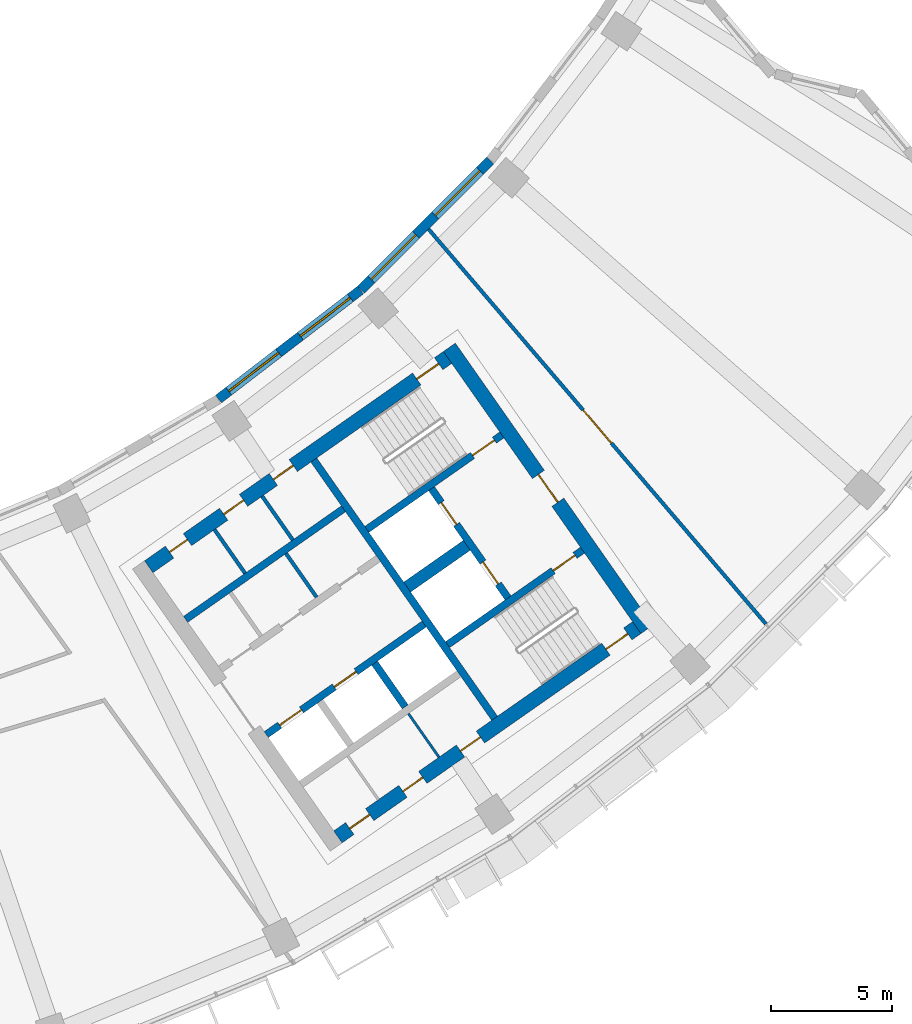
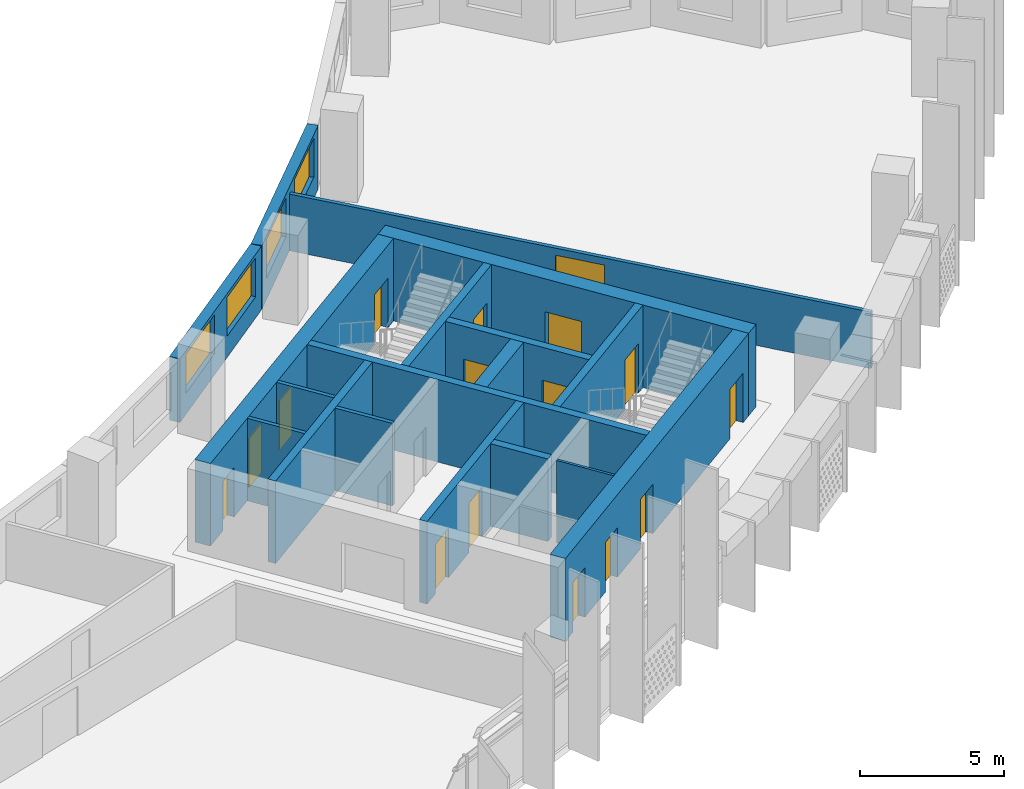
# One storey, part 7 of 27: 18 walls, 16 doors, 4 windows, 20 openings.
"""IFC4 building model written with IfcOpenShell, lengths in metres."""

from ifc_helpers import new_model, si_unit, direction, frame, frame_2d, origin, place, context, subcontext, project, spatial, rectangle, extrude, material, layer, layer_set, type_object, element, fill, save


model = new_model("IFC4")

# Units and contexts
model_context = context("Model", 3, precision=1e-05, world=origin(), true_north=direction((0.0, 1.0)))
body_context = subcontext(model_context, "Body", "Model", "MODEL_VIEW")
ifc_project = project(units=[si_unit("LENGTHUNIT", "METRE"), si_unit("AREAUNIT", "SQUARE_METRE"), si_unit("VOLUMEUNIT", "CUBIC_METRE"), si_unit("PLANEANGLEUNIT", "RADIAN"), si_unit("MASSUNIT", "GRAM", prefix="KILO")], contexts=[model_context])

# Site, building, storey
site_placement = place(None, origin())
site = spatial("IfcSite", under=ifc_project, at=site_placement, CompositionType="ELEMENT")
building_placement = place(site_placement, origin())
building = spatial("IfcBuilding", under=site, at=building_placement, Name="Qamariyya Broadcast Tower", CompositionType="ELEMENT")
storey_placement = place(building_placement, frame((0.0, 0.0, 172.10009765625)))
storey = spatial("IfcBuildingStorey", under=building, at=storey_placement, Name="L40", CompositionType="ELEMENT", Elevation=172.10009765625)

# Wall, opening, door
ifc_material_1 = material(Name="Concrete C60/75", Category="concrete")
ifc_layer_1 = layer(ifc_material_1, 0.60009765625)
ifc_layer_set_1 = layer_set([ifc_layer_1], Name="Core wall 600 mm Concrete C60/75")
wall_type_1 = type_object("IfcWallType", Name="Core wall 600 mm Concrete C60/75", PredefinedType="SHEAR", material=ifc_layer_set_1)
wall_1_placement = place(storey_placement, frame((49.4833984375, -57.031494140625, 0.0), z_axis=(0.0, 0.0, 1.0), x_axis=(-0.573560421458, 0.819163257805, 0.0)))
wall_1 = element("IfcWall", 1, at=wall_1_placement, inside=storey, type_object=wall_type_1, Name="k-E-L40-WH", PredefinedType="SHEAR", context=body_context, shape_type="SweptSolid", body=[
    extrude(rectangle(XDim=14.199951171875, YDim=0.60009765625, at=frame_2d((7.10009765625, 0.0))), origin(), (0.0, 0.0, 1.0), 3.5),
])
opening_1_placement = place(wall_1_placement, frame((6.39990234375, 0.0, 0.0)))
opening_1 = element("IfcOpeningElement", 2, at=opening_1_placement, cuts=wall_1, Name="Opening KD2-E1", PredefinedType="OPENING", context=body_context, shape_type="SweptSolid", body=[
    extrude(rectangle(XDim=1.39990234375, YDim=2.10009765625, at=frame_2d((0.699951171875, 1.050048828125))), frame((0.0, 0.31005859375, 0.0), z_axis=(0.0, -1.0, 0.0), x_axis=(1.0, 0.0, 0.0)), (0.0, 0.0, 1.0), 0.6201171875),
])
ifc_material_2 = material(Name="Steel fire-resisting door leaf", Category="steel")
door_type_1 = type_object("IfcDoorType", Name="Fire-fighting lobby door KD2", OperationType="DOUBLE_DOOR_SINGLE_SWING", PredefinedType="DOOR", material=ifc_material_2)
door_1_placement = place(opening_1_placement, origin())
door_1 = element("IfcDoor", 3, at=door_1_placement, inside=storey, type_object=door_type_1, Name="k-E-L40-WH-D15", OperationType="DOUBLE_DOOR_SINGLE_SWING", OverallHeight=2.10009765625, OverallWidth=1.39990234375, PredefinedType="DOOR", context=body_context, shape_type="SweptSolid", body=[
    extrude(rectangle(XDim=1.39990234375, YDim=2.10009765625, at=frame_2d((0.699951171875, 1.050048828125))), frame((0.0, 0.02490234375, 0.0), z_axis=(0.0, -1.0, 0.0), x_axis=(1.0, 0.0, 0.0)), (0.0, 0.0, 1.0), 0.050048828125),
])
fill(opening_1, door_1)

# Wall, openings, doors
wall_2_placement = place(storey_placement, frame((28.940673828125, -54.447021484375, 0.0), z_axis=(0.0, 0.0, 1.0), x_axis=(0.819153391756, 0.573574511963, 0.0)))
wall_2 = element("IfcWall", 4, at=wall_2_placement, inside=storey, type_object=wall_type_1, Name="k-E-L40-WI", PredefinedType="SHEAR", context=body_context, shape_type="SweptSolid", body=[
    extrude(rectangle(XDim=15.04541015625, YDim=0.60009765625, at=frame_2d((7.522705078125, 0.0))), origin(), (0.0, 0.0, 1.0), 3.5),
])
opening_2_placement = place(wall_2_placement, frame((1.050048828125, 0.0, 0.0)))
opening_2 = element("IfcOpeningElement", 5, at=opening_2_placement, cuts=wall_2, Name="Opening KD5-E1", PredefinedType="OPENING", context=body_context, shape_type="SweptSolid", body=[
    extrude(rectangle(XDim=0.89990234375, YDim=2.10009765625, at=frame_2d((0.449951171875, 1.050048828125))), frame((0.0, 0.31005859375, 0.0), z_axis=(0.0, -1.0, 0.0), x_axis=(1.0, 0.0, 0.0)), (0.0, 0.0, 1.0), 0.6201171875),
])
opening_3_placement = place(wall_2_placement, frame((3.77490234375, 0.0, 0.0)))
opening_3 = element("IfcOpeningElement", 6, at=opening_3_placement, cuts=wall_2, Name="Opening KD7-E1", PredefinedType="OPENING", context=body_context, shape_type="SweptSolid", body=[
    extrude(rectangle(XDim=1.0, YDim=2.10009765625, at=frame_2d((0.5, 1.050048828125))), frame((0.0, 0.31005859375, 0.0), z_axis=(0.0, -1.0, 0.0), x_axis=(1.0, 0.0, 0.0)), (0.0, 0.0, 1.0), 0.6201171875),
])
opening_4_placement = place(wall_2_placement, frame((6.27490234375, 0.0, 0.0)))
opening_4 = element("IfcOpeningElement", 7, at=opening_4_placement, cuts=wall_2, Name="Opening KD6-E3", PredefinedType="OPENING", context=body_context, shape_type="SweptSolid", body=[
    extrude(rectangle(XDim=1.0, YDim=2.10009765625, at=frame_2d((0.5, 1.050048828125))), frame((0.0, 0.31005859375, 0.0), z_axis=(0.0, -1.0, 0.0), x_axis=(1.0, 0.0, 0.0)), (0.0, 0.0, 1.0), 0.6201171875),
])
opening_5_placement = place(wall_2_placement, frame((13.495361328125, 0.0, 0.0)))
opening_5 = element("IfcOpeningElement", 8, at=opening_5_placement, cuts=wall_2, Name="Opening KD1-E1", PredefinedType="OPENING", context=body_context, shape_type="SweptSolid", body=[
    extrude(rectangle(XDim=1.10009765625, YDim=2.10009765625, at=frame_2d((0.550048828125, 1.050048828125))), frame((0.0, 0.31005859375, 0.0), z_axis=(0.0, -1.0, 0.0), x_axis=(1.0, 0.0, 0.0)), (0.0, 0.0, 1.0), 0.6201171875),
])
door_type_2 = type_object("IfcDoorType", Name="Accessible toilet door KD7", OperationType="SINGLE_SWING_LEFT", PredefinedType="DOOR", material=ifc_material_2)
door_2_placement = place(opening_3_placement, origin())
door_2 = element("IfcDoor", 9, at=door_2_placement, inside=storey, type_object=door_type_2, Name="k-E-L40-WI-D8", OperationType="SINGLE_SWING_RIGHT", OverallHeight=2.10009765625, OverallWidth=1.0, PredefinedType="DOOR", context=body_context, shape_type="SweptSolid", body=[
    extrude(rectangle(XDim=1.0, YDim=2.10009765625, at=frame_2d((0.5, 1.050048828125))), frame((0.0, 0.02490234375, 0.0), z_axis=(0.0, -1.0, 0.0), x_axis=(1.0, 0.0, 0.0)), (0.0, 0.0, 1.0), 0.050048828125),
])
fill(opening_3, door_2)
door_type_3 = type_object("IfcDoorType", Name="Core room door KD6", OperationType="SINGLE_SWING_LEFT", PredefinedType="DOOR", material=ifc_material_2)
door_3_placement = place(opening_4_placement, origin())
door_3 = element("IfcDoor", 10, at=door_3_placement, inside=storey, type_object=door_type_3, Name="k-E-L40-WI-D9", OperationType="SINGLE_SWING_LEFT", OverallHeight=2.10009765625, OverallWidth=1.0, PredefinedType="DOOR", context=body_context, shape_type="SweptSolid", body=[
    extrude(rectangle(XDim=1.0, YDim=2.10009765625, at=frame_2d((0.5, 1.050048828125))), frame((0.0, 0.02490234375, 0.0), z_axis=(0.0, -1.0, 0.0), x_axis=(1.0, 0.0, 0.0)), (0.0, 0.0, 1.0), 0.050048828125),
])
fill(opening_4, door_3)
door_type_4 = type_object("IfcDoorType", Name="Stair door KD1", OperationType="SINGLE_SWING_LEFT", PredefinedType="DOOR", material=ifc_material_2)
door_4_placement = place(opening_5_placement, origin())
door_4 = element("IfcDoor", 11, at=door_4_placement, inside=storey, type_object=door_type_4, Name="k-E-L40-WI-D16", OperationType="SINGLE_SWING_RIGHT", OverallHeight=2.10009765625, OverallWidth=1.10009765625, PredefinedType="DOOR", context=body_context, shape_type="SweptSolid", body=[
    extrude(rectangle(XDim=1.10009765625, YDim=2.10009765625, at=frame_2d((0.550048828125, 1.050048828125))), frame((0.0, 0.02490234375, 0.0), z_axis=(0.0, -1.0, 0.0), x_axis=(1.0, 0.0, 0.0)), (0.0, 0.0, 1.0), 0.050048828125),
])
fill(opening_5, door_4)
door_type_5 = type_object("IfcDoorType", Name="Toilet door KD5", OperationType="SINGLE_SWING_LEFT", PredefinedType="DOOR", material=ifc_material_2)
door_5_placement = place(opening_2_placement, origin())
door_5 = element("IfcDoor", 12, at=door_5_placement, inside=storey, type_object=door_type_5, Name="k-E-L40-WI-D7", OperationType="SINGLE_SWING_LEFT", OverallHeight=2.10009765625, OverallWidth=0.89990234375, PredefinedType="DOOR", context=body_context, shape_type="SweptSolid", body=[
    extrude(rectangle(XDim=0.89990234375, YDim=2.10009765625, at=frame_2d((0.449951171875, 1.050048828125))), frame((0.0, 0.02490234375, 0.0), z_axis=(0.0, -1.0, 0.0), x_axis=(1.0, 0.0, 0.0)), (0.0, 0.0, 1.0), 0.050048828125),
])
fill(opening_2, door_5)

wall_3_placement = place(storey_placement, frame((36.7412109375, -65.58740234375, 0.0), z_axis=(0.0, 0.0, 1.0), x_axis=(0.819153391756, 0.573574511963, 0.0)))
wall_3 = element("IfcWall", 13, at=wall_3_placement, inside=storey, type_object=wall_type_1, Name="k-E-L40-WO", PredefinedType="SHEAR", context=body_context, shape_type="SweptSolid", body=[
    extrude(rectangle(XDim=15.04541015625, YDim=0.60009765625, at=frame_2d((7.522705078125, 0.0))), origin(), (0.0, 0.0, 1.0), 3.5),
])
opening_6_placement = place(wall_3_placement, frame((0.60009765625, 0.0, 0.0)))
opening_6 = element("IfcOpeningElement", 14, at=opening_6_placement, cuts=wall_3, Name="Opening KD4-E2", PredefinedType="OPENING", context=body_context, shape_type="SweptSolid", body=[
    extrude(rectangle(XDim=1.0, YDim=2.10009765625, at=frame_2d((0.5, 1.050048828125))), frame((0.0, 0.31005859375, 0.0), z_axis=(0.0, -1.0, 0.0), x_axis=(1.0, 0.0, 0.0)), (0.0, 0.0, 1.0), 0.6201171875),
])
opening_7_placement = place(wall_3_placement, frame((3.27490234375, 0.0, 0.0)))
opening_7 = element("IfcOpeningElement", 15, at=opening_7_placement, cuts=wall_3, Name="Opening KD4-E3", PredefinedType="OPENING", context=body_context, shape_type="SweptSolid", body=[
    extrude(rectangle(XDim=1.0, YDim=2.10009765625, at=frame_2d((0.5, 1.050048828125))), frame((0.0, 0.31005859375, 0.0), z_axis=(0.0, -1.0, 0.0), x_axis=(1.0, 0.0, 0.0)), (0.0, 0.0, 1.0), 0.6201171875),
])
opening_8_placement = place(wall_3_placement, frame((6.175048828125, 0.0, 0.0)))
opening_8 = element("IfcOpeningElement", 16, at=opening_8_placement, cuts=wall_3, Name="Opening KD4-E4", PredefinedType="OPENING", context=body_context, shape_type="SweptSolid", body=[
    extrude(rectangle(XDim=1.0, YDim=2.10009765625, at=frame_2d((0.5, 1.050048828125))), frame((0.0, 0.31005859375, 0.0), z_axis=(0.0, -1.0, 0.0), x_axis=(1.0, 0.0, 0.0)), (0.0, 0.0, 1.0), 0.6201171875),
])
opening_9_placement = place(wall_3_placement, frame((13.495361328125, 0.0, 0.0)))
opening_9 = element("IfcOpeningElement", 17, at=opening_9_placement, cuts=wall_3, Name="Opening KD1-E3", PredefinedType="OPENING", context=body_context, shape_type="SweptSolid", body=[
    extrude(rectangle(XDim=1.10009765625, YDim=2.10009765625, at=frame_2d((0.550048828125, 1.050048828125))), frame((0.0, 0.31005859375, 0.0), z_axis=(0.0, -1.0, 0.0), x_axis=(1.0, 0.0, 0.0)), (0.0, 0.0, 1.0), 0.6201171875),
])
door_type_6 = type_object("IfcDoorType", Name="Riser and plant door KD4", OperationType="SINGLE_SWING_LEFT", PredefinedType="DOOR", material=ifc_material_2)
door_6_placement = place(opening_6_placement, origin())
door_6 = element("IfcDoor", 18, at=door_6_placement, inside=storey, type_object=door_type_6, Name="k-E-L40-WO-D10", OperationType="SINGLE_SWING_RIGHT", OverallHeight=2.10009765625, OverallWidth=1.0, PredefinedType="DOOR", context=body_context, shape_type="SweptSolid", body=[
    extrude(rectangle(XDim=1.0, YDim=2.10009765625, at=frame_2d((0.5, 1.050048828125))), frame((0.0, 0.02490234375, 0.0), z_axis=(0.0, -1.0, 0.0), x_axis=(1.0, 0.0, 0.0)), (0.0, 0.0, 1.0), 0.050048828125),
])
fill(opening_6, door_6)
door_7_placement = place(opening_7_placement, origin())
door_7 = element("IfcDoor", 19, at=door_7_placement, inside=storey, type_object=door_type_6, Name="k-E-L40-WO-D11", OperationType="SINGLE_SWING_LEFT", OverallHeight=2.10009765625, OverallWidth=1.0, PredefinedType="DOOR", context=body_context, shape_type="SweptSolid", body=[
    extrude(rectangle(XDim=1.0, YDim=2.10009765625, at=frame_2d((0.5, 1.050048828125))), frame((0.0, 0.02490234375, 0.0), z_axis=(0.0, -1.0, 0.0), x_axis=(1.0, 0.0, 0.0)), (0.0, 0.0, 1.0), 0.050048828125),
])
fill(opening_7, door_7)
door_8_placement = place(opening_8_placement, origin())
door_8 = element("IfcDoor", 20, at=door_8_placement, inside=storey, type_object=door_type_6, Name="k-E-L40-WO-D12", OperationType="SINGLE_SWING_RIGHT", OverallHeight=2.10009765625, OverallWidth=1.0, PredefinedType="DOOR", context=body_context, shape_type="SweptSolid", body=[
    extrude(rectangle(XDim=1.0, YDim=2.10009765625, at=frame_2d((0.5, 1.050048828125))), frame((0.0, 0.02490234375, 0.0), z_axis=(0.0, -1.0, 0.0), x_axis=(1.0, 0.0, 0.0)), (0.0, 0.0, 1.0), 0.050048828125),
])
fill(opening_8, door_8)
door_9_placement = place(opening_9_placement, origin())
door_9 = element("IfcDoor", 21, at=door_9_placement, inside=storey, type_object=door_type_4, Name="k-E-L40-WO-D18", OperationType="SINGLE_SWING_LEFT", OverallHeight=2.10009765625, OverallWidth=1.10009765625, PredefinedType="DOOR", context=body_context, shape_type="SweptSolid", body=[
    extrude(rectangle(XDim=1.10009765625, YDim=2.10009765625, at=frame_2d((0.550048828125, 1.050048828125))), frame((0.0, 0.02490234375, 0.0), z_axis=(0.0, -1.0, 0.0), x_axis=(1.0, 0.0, 0.0)), (0.0, 0.0, 1.0), 0.050048828125),
])
fill(opening_9, door_9)

# Wall, opening, door
ifc_material_3 = material(Name="Gypsum board partition")
ifc_layer_2 = layer(ifc_material_3, 0.14990234375)
ifc_layer_set_2 = layer_set([ifc_layer_2], Name="Corridor partition 150 EI 60")
wall_type_2 = type_object("IfcWallType", Name="Corridor partition 150 EI 60", PredefinedType="PARTITIONING", material=ifc_layer_set_2)
wall_4_placement = place(storey_placement, frame((40.478759765625, -40.52294921875, 0.0), z_axis=(0.0, 0.0, 1.0), x_axis=(0.649633284071, -0.760247720303, 0.0)))
wall_4 = element("IfcWall", 22, at=wall_4_placement, inside=storey, type_object=wall_type_2, Name="Partition L40-028", PredefinedType="PARTITIONING", context=body_context, shape_type="SweptSolid", body=[
    extrude(rectangle(XDim=21.420166015625, YDim=0.14990234375, at=frame_2d((10.7099609375, 0.0))), origin(), (0.0, 0.0, 1.0), 2.39990234375),
])
opening_10_placement = place(wall_4_placement, frame((9.81005859375, 0.0, 0.0)))
opening_10 = element("IfcOpeningElement", 23, at=opening_10_placement, cuts=wall_4, Name="Opening L40-D13", PredefinedType="OPENING", context=body_context, shape_type="SweptSolid", body=[
    extrude(rectangle(XDim=1.800048828125, YDim=2.10009765625, at=frame_2d((0.89990234375, 1.050048828125))), frame((0.0, 0.0849609375, 0.0), z_axis=(0.0, -1.0, 0.0), x_axis=(1.0, 0.0, 0.0)), (0.0, 0.0, 1.0), 0.169921875),
])
ifc_material_4 = material(Name="Timber fire door leaf", Category="wood")
door_type_7 = type_object("IfcDoorType", Name="Double fire door 1800 x 2100 FD60", OperationType="NOTDEFINED", PredefinedType="DOOR", material=ifc_material_4)
door_10_placement = place(opening_10_placement, origin())
door_10 = element("IfcDoor", 24, at=door_10_placement, inside=storey, type_object=door_type_7, Name="Door L40-D13", OperationType="DOUBLE_DOOR_SINGLE_SWING", OverallHeight=2.10009765625, OverallWidth=1.800048828125, PredefinedType="DOOR", context=body_context, shape_type="SweptSolid", body=[
    extrude(rectangle(XDim=1.800048828125, YDim=2.10009765625, at=frame_2d((0.89990234375, 1.050048828125))), frame((0.0, 0.02490234375, 0.0), z_axis=(0.0, -1.0, 0.0), x_axis=(1.0, 0.0, 0.0)), (0.0, 0.0, 1.0), 0.050048828125),
])
fill(opening_10, door_10)

# Walls
ifc_layer_3 = layer(ifc_material_1, 0.5)
ifc_layer_set_3 = layer_set([ifc_layer_3], Name="Fire-fighting lobby divider wall 500 mm Concrete C60/75")
wall_type_3 = type_object("IfcWallType", Name="Fire-fighting lobby divider wall 500 mm Concrete C60/75", PredefinedType="SOLIDWALL", material=ifc_layer_set_3)
wall_5_placement = place(storey_placement, frame((39.59912109375, -55.28515625, 0.0), z_axis=(0.0, 0.0, 1.0), x_axis=(0.819136323161, 0.573598887793, 0.0)))
element("IfcWall", 25, at=wall_5_placement, inside=storey, type_object=wall_type_3, Name="k-E-L40-FD", PredefinedType="SOLIDWALL", context=body_context, shape_type="SweptSolid", body=[
    extrude(rectangle(XDim=2.999755859375, YDim=0.5, at=frame_2d((1.5, 0.0))), origin(), (0.0, 0.0, 1.0), 3.5),
])
ifc_material_5 = material(Name="Gypsum board partition on steel studs", Category="steel")
ifc_layer_4 = layer(ifc_material_5, 0.14990234375)
ifc_layer_set_4 = layer_set([ifc_layer_4], Name="Gypsum board partition 150 mm")
wall_type_4 = type_object("IfcWallType", Name="Gypsum board partition 150 mm", PredefinedType="PARTITIONING", material=ifc_layer_set_4)
wall_6_placement = place(storey_placement, frame((35.86328125, -55.70361328125, 0.0), z_axis=(0.0, 0.0, 1.0), x_axis=(-0.573507030513, 0.819200638399, 0.0)))
element("IfcWall", 26, at=wall_6_placement, inside=storey, type_object=wall_type_4, Name="k-E-L40-NC495", PredefinedType="PARTITIONING", context=body_context, shape_type="SweptSolid", body=[
    extrude(rectangle(XDim=2.199951171875, YDim=0.14990234375, at=frame_2d((1.10009765625, 0.0))), origin(), (0.0, 0.0, 1.0), 3.5),
])
wall_7_placement = place(storey_placement, frame((32.9140625, -54.716796875, 0.0), z_axis=(0.0, 0.0, 1.0), x_axis=(-0.573581496053, 0.819148501424, 0.0)))
element("IfcWall", 27, at=wall_7_placement, inside=storey, type_object=wall_type_4, Name="k-E-L40-NP310", PredefinedType="PARTITIONING", context=body_context, shape_type="SweptSolid", body=[
    extrude(rectangle(XDim=2.2001953125, YDim=0.14990234375, at=frame_2d((1.10009765625, 0.0))), origin(), (0.0, 0.0, 1.0), 3.5),
])
wall_8_placement = place(storey_placement, frame((34.8798828125, -53.340087890625, 0.0), z_axis=(0.0, 0.0, 1.0), x_axis=(-0.573559170999, 0.819164133348, 0.0)))
element("IfcWall", 28, at=wall_8_placement, inside=storey, type_object=wall_type_4, Name="k-E-L40-NP550", PredefinedType="PARTITIONING", context=body_context, shape_type="SweptSolid", body=[
    extrude(rectangle(XDim=2.19970703125, YDim=0.14990234375, at=frame_2d((1.099853515625, 0.0))), origin(), (0.0, 0.0, 1.0), 3.5),
])
ifc_layer_5 = layer(ifc_material_1, 0.300048828125)
ifc_layer_set_5 = layer_set([ifc_layer_5], Name="Lift shaft wall 300 mm Concrete C60/75")
wall_type_5 = type_object("IfcWallType", Name="Lift shaft wall 300 mm Concrete C60/75", PredefinedType="SOLIDWALL", material=ifc_layer_set_5)
wall_9_placement = place(storey_placement, frame((43.204345703125, -60.69580078125, 0.0), z_axis=(0.0, 0.0, 1.0), x_axis=(-0.573571992966, 0.819155155563, 0.0)))
element("IfcWall", 29, at=wall_9_placement, inside=storey, type_object=wall_type_5, Name="k-E-L40-WL", PredefinedType="SOLIDWALL", context=body_context, shape_type="SweptSolid", body=[
    extrude(rectangle(XDim=13.000244140625, YDim=0.300048828125, at=frame_2d((6.5, 0.0))), origin(), (0.0, 0.0, 1.0), 3.5),
])
wall_10_placement = place(storey_placement, frame((30.460693359375, -56.61767578125, 0.0), z_axis=(0.0, 0.0, 1.0), x_axis=(0.819142461705, 0.573590121456, 0.0)))
element("IfcWall", 30, at=wall_10_placement, inside=storey, type_object=wall_type_5, Name="k-E-L40-NB0", PredefinedType="SOLIDWALL", context=body_context, shape_type="SweptSolid", body=[
    extrude(rectangle(XDim=7.949951171875, YDim=0.300048828125, at=frame_2d((3.97509765625, 0.0))), origin(), (0.0, 0.0, 1.0), 3.5),
])

# Wall, openings, doors
wall_11_placement = place(storey_placement, frame((33.787353515625, -61.368896484375, 0.0), z_axis=(0.0, 0.0, 1.0), x_axis=(0.819152564888, 0.573575692858, 0.0)))
wall_11 = element("IfcWall", 31, at=wall_11_placement, inside=storey, type_object=wall_type_5, Name="k-E-L40-SF0", PredefinedType="SOLIDWALL", context=body_context, shape_type="SweptSolid", body=[
    extrude(rectangle(XDim=7.9501953125, YDim=0.300048828125, at=frame_2d((3.97509765625, 0.0))), origin(), (0.0, 0.0, 1.0), 3.5),
])
opening_11_placement = place(wall_11_placement, frame((0.675048828125, 0.0, 0.0)))
opening_11 = element("IfcOpeningElement", 32, at=opening_11_placement, cuts=wall_11, Name="Opening LD", PredefinedType="OPENING", context=body_context, shape_type="SweptSolid", body=[
    extrude(rectangle(XDim=1.10009765625, YDim=2.10009765625, at=frame_2d((0.550048828125, 1.050048828125))), frame((0.0, 0.159912109375, 0.0), z_axis=(0.0, -1.0, 0.0), x_axis=(1.0, 0.0, 0.0)), (0.0, 0.0, 1.0), 0.320068359375),
])
opening_12_placement = place(wall_11_placement, frame((3.425048828125, 0.0, 0.0)))
opening_12 = element("IfcOpeningElement", 33, at=opening_12_placement, cuts=wall_11, Name="Opening LD", PredefinedType="OPENING", context=body_context, shape_type="SweptSolid", body=[
    extrude(rectangle(XDim=1.10009765625, YDim=2.10009765625, at=frame_2d((0.550048828125, 1.050048828125))), frame((0.0, 0.159912109375, 0.0), z_axis=(0.0, -1.0, 0.0), x_axis=(1.0, 0.0, 0.0)), (0.0, 0.0, 1.0), 0.320068359375),
])
door_type_8 = type_object("IfcDoorType", Name="Lift landing door LD", OperationType="DOUBLE_DOOR_SLIDING", PredefinedType="DOOR", material=ifc_material_2)
door_11_placement = place(opening_11_placement, origin())
door_11 = element("IfcDoor", 34, at=door_11_placement, inside=storey, type_object=door_type_8, Name="k-E-L40-SF0-D5", OperationType="DOUBLE_DOOR_SLIDING", OverallHeight=2.10009765625, OverallWidth=1.10009765625, PredefinedType="DOOR", context=body_context, shape_type="SweptSolid", body=[
    extrude(rectangle(XDim=1.10009765625, YDim=2.10009765625, at=frame_2d((0.550048828125, 1.050048828125))), frame((0.0, 0.02490234375, 0.0), z_axis=(0.0, -1.0, 0.0), x_axis=(1.0, 0.0, 0.0)), (0.0, 0.0, 1.0), 0.050048828125),
])
fill(opening_11, door_11)
door_12_placement = place(opening_12_placement, origin())
door_12 = element("IfcDoor", 35, at=door_12_placement, inside=storey, type_object=door_type_8, Name="k-E-L40-SF0-D6", OperationType="DOUBLE_DOOR_SLIDING", OverallHeight=2.10009765625, OverallWidth=1.10009765625, PredefinedType="DOOR", context=body_context, shape_type="SweptSolid", body=[
    extrude(rectangle(XDim=1.10009765625, YDim=2.10009765625, at=frame_2d((0.550048828125, 1.050048828125))), frame((0.0, 0.02490234375, 0.0), z_axis=(0.0, -1.0, 0.0), x_axis=(1.0, 0.0, 0.0)), (0.0, 0.0, 1.0), 0.050048828125),
])
fill(opening_12, door_12)

# Wall
wall_12_placement = place(storey_placement, frame((38.255859375, -58.423095703125, 0.0), z_axis=(0.0, 0.0, 1.0), x_axis=(0.573633636671, -0.819111989218, 0.0)))
element("IfcWall", 36, at=wall_12_placement, inside=storey, type_object=wall_type_5, Name="k-E-L40-SD1", PredefinedType="SOLIDWALL", context=body_context, shape_type="SweptSolid", body=[
    extrude(rectangle(XDim=2.199951171875, YDim=0.300048828125, at=frame_2d((1.10009765625, 0.0))), origin(), (0.0, 0.0, 1.0), 3.5),
])

# Wall, opening, door
wall_13_placement = place(storey_placement, frame((37.935546875, -52.90966796875, 0.0), z_axis=(0.0, 0.0, 1.0), x_axis=(0.819147518138, 0.57358290031, 0.0)))
wall_13 = element("IfcWall", 37, at=wall_13_placement, inside=storey, type_object=wall_type_5, Name="k-E-L40-NW", PredefinedType="SOLIDWALL", context=body_context, shape_type="SweptSolid", body=[
    extrude(rectangle(XDim=6.79541015625, YDim=0.300048828125, at=frame_2d((3.397705078125, 0.0))), origin(), (0.0, 0.0, 1.0), 3.5),
])
opening_13_placement = place(wall_13_placement, frame((5.3203125, 0.0, 0.0)))
opening_13 = element("IfcOpeningElement", 38, at=opening_13_placement, cuts=wall_13, Name="Opening KD1-E2", PredefinedType="OPENING", context=body_context, shape_type="SweptSolid", body=[
    extrude(rectangle(XDim=1.10009765625, YDim=2.10009765625, at=frame_2d((0.550048828125, 1.050048828125))), frame((0.0, 0.159912109375, 0.0), z_axis=(0.0, -1.0, 0.0), x_axis=(1.0, 0.0, 0.0)), (0.0, 0.0, 1.0), 0.320068359375),
])
door_13_placement = place(opening_13_placement, origin())
door_13 = element("IfcDoor", 39, at=door_13_placement, inside=storey, type_object=door_type_4, Name="k-E-L40-NW-D17", OperationType="SINGLE_SWING_LEFT", OverallHeight=2.10009765625, OverallWidth=1.10009765625, PredefinedType="DOOR", context=body_context, shape_type="SweptSolid", body=[
    extrude(rectangle(XDim=1.10009765625, YDim=2.10009765625, at=frame_2d((0.550048828125, 1.050048828125))), frame((0.0, 0.02490234375, 0.0), z_axis=(0.0, -1.0, 0.0), x_axis=(1.0, 0.0, 0.0)), (0.0, 0.0, 1.0), 0.050048828125),
])
fill(opening_13, door_13)

wall_14_placement = place(storey_placement, frame((41.262451171875, -57.66064453125, 0.0), z_axis=(0.0, 0.0, 1.0), x_axis=(0.819164398642, 0.573558792102, 0.0)))
wall_14 = element("IfcWall", 40, at=wall_14_placement, inside=storey, type_object=wall_type_5, Name="k-E-L40-SW", PredefinedType="SOLIDWALL", context=body_context, shape_type="SweptSolid", body=[
    extrude(rectangle(XDim=6.795166015625, YDim=0.300048828125, at=frame_2d((3.3974609375, 0.0))), origin(), (0.0, 0.0, 1.0), 3.5),
])
opening_14_placement = place(wall_14_placement, frame((5.3203125, 0.0, 0.0)))
opening_14 = element("IfcOpeningElement", 41, at=opening_14_placement, cuts=wall_14, Name="Opening KD1-E4", PredefinedType="OPENING", context=body_context, shape_type="SweptSolid", body=[
    extrude(rectangle(XDim=1.10009765625, YDim=2.10009765625, at=frame_2d((0.550048828125, 1.050048828125))), frame((0.0, 0.159912109375, 0.0), z_axis=(0.0, -1.0, 0.0), x_axis=(1.0, 0.0, 0.0)), (0.0, 0.0, 1.0), 0.320068359375),
])
door_14_placement = place(opening_14_placement, origin())
door_14 = element("IfcDoor", 42, at=door_14_placement, inside=storey, type_object=door_type_4, Name="k-E-L40-SW-D19", OperationType="SINGLE_SWING_LEFT", OverallHeight=2.10009765625, OverallWidth=1.10009765625, PredefinedType="DOOR", context=body_context, shape_type="SweptSolid", body=[
    extrude(rectangle(XDim=1.10009765625, YDim=2.10009765625, at=frame_2d((0.550048828125, 1.050048828125))), frame((0.0, 0.02490234375, 0.0), z_axis=(0.0, -1.0, 0.0), x_axis=(1.0, 0.0, 0.0)), (0.0, 0.0, 1.0), 0.050048828125),
])
fill(opening_14, door_14)

# Wall, openings, doors
wall_15_placement = place(storey_placement, frame((43.756591796875, -55.731201171875, 0.0), z_axis=(0.0, 0.0, 1.0), x_axis=(-0.573536818435, 0.819179783625, 0.0)))
wall_15 = element("IfcWall", 43, at=wall_15_placement, inside=storey, type_object=wall_type_5, Name="k-E-L40-FF", PredefinedType="SOLIDWALL", context=body_context, shape_type="SweptSolid", body=[
    extrude(rectangle(XDim=5.500244140625, YDim=0.300048828125, at=frame_2d((2.75, 0.0))), origin(), (0.0, 0.0, 1.0), 3.5),
])
opening_15_placement = place(wall_15_placement, frame((0.699951171875, 0.0, 0.0)))
opening_15 = element("IfcOpeningElement", 44, at=opening_15_placement, cuts=wall_15, Name="Opening LD", PredefinedType="OPENING", context=body_context, shape_type="SweptSolid", body=[
    extrude(rectangle(XDim=1.10009765625, YDim=2.10009765625, at=frame_2d((0.550048828125, 1.050048828125))), frame((0.0, 0.159912109375, 0.0), z_axis=(0.0, -1.0, 0.0), x_axis=(1.0, 0.0, 0.0)), (0.0, 0.0, 1.0), 0.320068359375),
])
opening_16_placement = place(wall_15_placement, frame((3.699951171875, 0.0, 0.0)))
opening_16 = element("IfcOpeningElement", 45, at=opening_16_placement, cuts=wall_15, Name="Opening LD", PredefinedType="OPENING", context=body_context, shape_type="SweptSolid", body=[
    extrude(rectangle(XDim=1.10009765625, YDim=2.10009765625, at=frame_2d((0.550048828125, 1.050048828125))), frame((0.0, 0.159912109375, 0.0), z_axis=(0.0, -1.0, 0.0), x_axis=(1.0, 0.0, 0.0)), (0.0, 0.0, 1.0), 0.320068359375),
])
door_15_placement = place(opening_15_placement, origin())
door_15 = element("IfcDoor", 46, at=door_15_placement, inside=storey, type_object=door_type_8, Name="k-E-L40-FF-D13", OperationType="DOUBLE_DOOR_SLIDING", OverallHeight=2.10009765625, OverallWidth=1.10009765625, PredefinedType="DOOR", context=body_context, shape_type="SweptSolid", body=[
    extrude(rectangle(XDim=1.10009765625, YDim=2.10009765625, at=frame_2d((0.550048828125, 1.050048828125))), frame((0.0, 0.02490234375, 0.0), z_axis=(0.0, -1.0, 0.0), x_axis=(1.0, 0.0, 0.0)), (0.0, 0.0, 1.0), 0.050048828125),
])
fill(opening_15, door_15)
door_16_placement = place(opening_16_placement, origin())
door_16 = element("IfcDoor", 47, at=door_16_placement, inside=storey, type_object=door_type_8, Name="k-E-L40-FF-D14", OperationType="DOUBLE_DOOR_SLIDING", OverallHeight=2.10009765625, OverallWidth=1.10009765625, PredefinedType="DOOR", context=body_context, shape_type="SweptSolid", body=[
    extrude(rectangle(XDim=1.10009765625, YDim=2.10009765625, at=frame_2d((0.550048828125, 1.050048828125))), frame((0.0, 0.02490234375, 0.0), z_axis=(0.0, -1.0, 0.0), x_axis=(1.0, 0.0, 0.0)), (0.0, 0.0, 1.0), 0.050048828125),
])
fill(opening_16, door_16)

# Wall
ifc_material_6 = material(Name="Fire-rated gypsum shaft liner on steel studs", Category="steel")
ifc_layer_6 = layer(ifc_material_6, 0.10009765625)
ifc_layer_set_6 = layer_set([ifc_layer_6], Name="Riser wall 100 mm")
wall_type_6 = type_object("IfcWallType", Name="Riser wall 100 mm", PredefinedType="PLUMBINGWALL", material=ifc_layer_set_6)
wall_16_placement = place(storey_placement, frame((39.64892578125, -60.49951171875, 0.0), z_axis=(0.0, 0.0, 1.0), x_axis=(0.573507030513, -0.819200638399, 0.0)))
element("IfcWall", 48, at=wall_16_placement, inside=storey, type_object=wall_type_6, Name="k-E-L40-SP530", PredefinedType="PLUMBINGWALL", context=body_context, shape_type="SweptSolid", body=[
    extrude(rectangle(XDim=2.199951171875, YDim=0.10009765625, at=frame_2d((1.10009765625, 0.0))), origin(), (0.0, 0.0, 1.0), 3.5),
])

# Wall, openings, windows
ifc_material_7 = material(Name="Terracotta", Category="masonry")
ifc_layer_7 = layer(ifc_material_7, 0.39990234375)
ifc_layer_set_7 = layer_set([ifc_layer_7], Name="Terracotta clad wall 400")
wall_type_7 = type_object("IfcWallType", Name="Terracotta clad wall 400", PredefinedType="SOLIDWALL", material=ifc_layer_set_7)
wall_17_placement = place(storey_placement, frame((37.674560546875, -43.036376953125, 0.0), z_axis=(0.0, 0.0, 1.0), x_axis=(-0.79334647843, -0.608770371457, 0.0)))
wall_17 = element("IfcWall", 49, at=wall_17_placement, inside=storey, type_object=wall_type_7, Name="e-wl-L40-in120", PredefinedType="SOLIDWALL", context=body_context, shape_type="SweptSolid", body=[
    extrude(rectangle(XDim=7.380615234375, YDim=0.39990234375, at=frame_2d((3.6904296875, 0.0))), origin(), (0.0, 0.0, 1.0), 2.699951171875),
])
opening_17_placement = place(wall_17_placement, frame((4.25439453125, 0.0, 0.89990234375)))
opening_17 = element("IfcOpeningElement", 50, at=opening_17_placement, cuts=wall_17, Name="Opening W1", PredefinedType="OPENING", context=body_context, shape_type="SweptSolid", body=[
    extrude(rectangle(XDim=2.60009765625, YDim=1.64990234375, at=frame_2d((1.300048828125, 0.824951171875))), frame((0.0, 0.2099609375, 0.0), z_axis=(0.0, -1.0, 0.0), x_axis=(1.0, 0.0, 0.0)), (0.0, 0.0, 1.0), 0.419921875),
])
opening_18_placement = place(wall_17_placement, frame((0.5263671875, 0.0, 0.89990234375)))
opening_18 = element("IfcOpeningElement", 51, at=opening_18_placement, cuts=wall_17, Name="Opening W1", PredefinedType="OPENING", context=body_context, shape_type="SweptSolid", body=[
    extrude(rectangle(XDim=2.60009765625, YDim=1.64990234375, at=frame_2d((1.300048828125, 0.824951171875))), frame((0.0, 0.2099609375, 0.0), z_axis=(0.0, -1.0, 0.0), x_axis=(1.0, 0.0, 0.0)), (0.0, 0.0, 1.0), 0.419921875),
])
ifc_material_8 = material(Name="Clear low-e double glazed unit in aluminium frame", Category="aluminium")
window_type = type_object("IfcWindowType", Name="Ribbon window 2600 x 1650", PartitioningType="SINGLE_PANEL", PredefinedType="WINDOW", material=ifc_material_8)
window_1_placement = place(opening_17_placement, origin())
window_1 = element("IfcWindow", 52, at=window_1_placement, inside=storey, type_object=window_type, Name="e-w-L40-in12-0", OverallHeight=1.64990234375, OverallWidth=2.60009765625, PartitioningType="SINGLE_PANEL", PredefinedType="WINDOW", context=body_context, shape_type="SweptSolid", body=[
    extrude(rectangle(XDim=2.60009765625, YDim=1.64990234375, at=frame_2d((1.300048828125, 0.824951171875))), frame((0.0, 0.030029296875, 0.0), z_axis=(0.0, -1.0, 0.0), x_axis=(1.0, 0.0, 0.0)), (0.0, 0.0, 1.0), 0.06005859375),
])
fill(opening_17, window_1)
window_2_placement = place(opening_18_placement, origin())
window_2 = element("IfcWindow", 53, at=window_2_placement, inside=storey, type_object=window_type, Name="e-w-L40-in12-1", OverallHeight=1.64990234375, OverallWidth=2.60009765625, PartitioningType="SINGLE_PANEL", PredefinedType="WINDOW", context=body_context, shape_type="SweptSolid", body=[
    extrude(rectangle(XDim=2.60009765625, YDim=1.64990234375, at=frame_2d((1.300048828125, 0.824951171875))), frame((0.0, 0.030029296875, 0.0), z_axis=(0.0, -1.0, 0.0), x_axis=(1.0, 0.0, 0.0)), (0.0, 0.0, 1.0), 0.06005859375),
])
fill(opening_18, window_2)

wall_18_placement = place(storey_placement, frame((43.023193359375, -37.697265625, 0.0), z_axis=(0.0, 0.0, 1.0), x_axis=(-0.707106781187, -0.707106781187, 0.0)))
wall_18 = element("IfcWall", 54, at=wall_18_placement, inside=storey, type_object=wall_type_7, Name="e-wl-L40-in130", PredefinedType="SOLIDWALL", context=body_context, shape_type="SweptSolid", body=[
    extrude(rectangle(XDim=7.531982421875, YDim=0.39990234375, at=frame_2d((3.76611328125, 0.0))), origin(), (0.0, 0.0, 1.0), 2.699951171875),
])
opening_19_placement = place(wall_18_placement, frame((4.330078125, 0.0, 0.89990234375)))
opening_19 = element("IfcOpeningElement", 55, at=opening_19_placement, cuts=wall_18, Name="Opening W1", PredefinedType="OPENING", context=body_context, shape_type="SweptSolid", body=[
    extrude(rectangle(XDim=2.60009765625, YDim=1.64990234375, at=frame_2d((1.300048828125, 0.824951171875))), frame((0.0, 0.2099609375, 0.0), z_axis=(0.0, -1.0, 0.0), x_axis=(1.0, 0.0, 0.0)), (0.0, 0.0, 1.0), 0.419921875),
])
opening_20_placement = place(wall_18_placement, frame((0.60205078125, 0.0, 0.89990234375)))
opening_20 = element("IfcOpeningElement", 56, at=opening_20_placement, cuts=wall_18, Name="Opening W1", PredefinedType="OPENING", context=body_context, shape_type="SweptSolid", body=[
    extrude(rectangle(XDim=2.60009765625, YDim=1.64990234375, at=frame_2d((1.300048828125, 0.824951171875))), frame((0.0, 0.2099609375, 0.0), z_axis=(0.0, -1.0, 0.0), x_axis=(1.0, 0.0, 0.0)), (0.0, 0.0, 1.0), 0.419921875),
])
window_3_placement = place(opening_19_placement, origin())
window_3 = element("IfcWindow", 57, at=window_3_placement, inside=storey, type_object=window_type, Name="e-w-L40-in13-0", OverallHeight=1.64990234375, OverallWidth=2.60009765625, PartitioningType="SINGLE_PANEL", PredefinedType="WINDOW", context=body_context, shape_type="SweptSolid", body=[
    extrude(rectangle(XDim=2.60009765625, YDim=1.64990234375, at=frame_2d((1.300048828125, 0.824951171875))), frame((0.0, 0.030029296875, 0.0), z_axis=(0.0, -1.0, 0.0), x_axis=(1.0, 0.0, 0.0)), (0.0, 0.0, 1.0), 0.06005859375),
])
fill(opening_19, window_3)
window_4_placement = place(opening_20_placement, origin())
window_4 = element("IfcWindow", 58, at=window_4_placement, inside=storey, type_object=window_type, Name="e-w-L40-in13-1", OverallHeight=1.64990234375, OverallWidth=2.60009765625, PartitioningType="SINGLE_PANEL", PredefinedType="WINDOW", context=body_context, shape_type="SweptSolid", body=[
    extrude(rectangle(XDim=2.60009765625, YDim=1.64990234375, at=frame_2d((1.300048828125, 0.824951171875))), frame((0.0, 0.030029296875, 0.0), z_axis=(0.0, -1.0, 0.0), x_axis=(1.0, 0.0, 0.0)), (0.0, 0.0, 1.0), 0.06005859375),
])
fill(opening_20, window_4)

save(model, "model.ifc")
